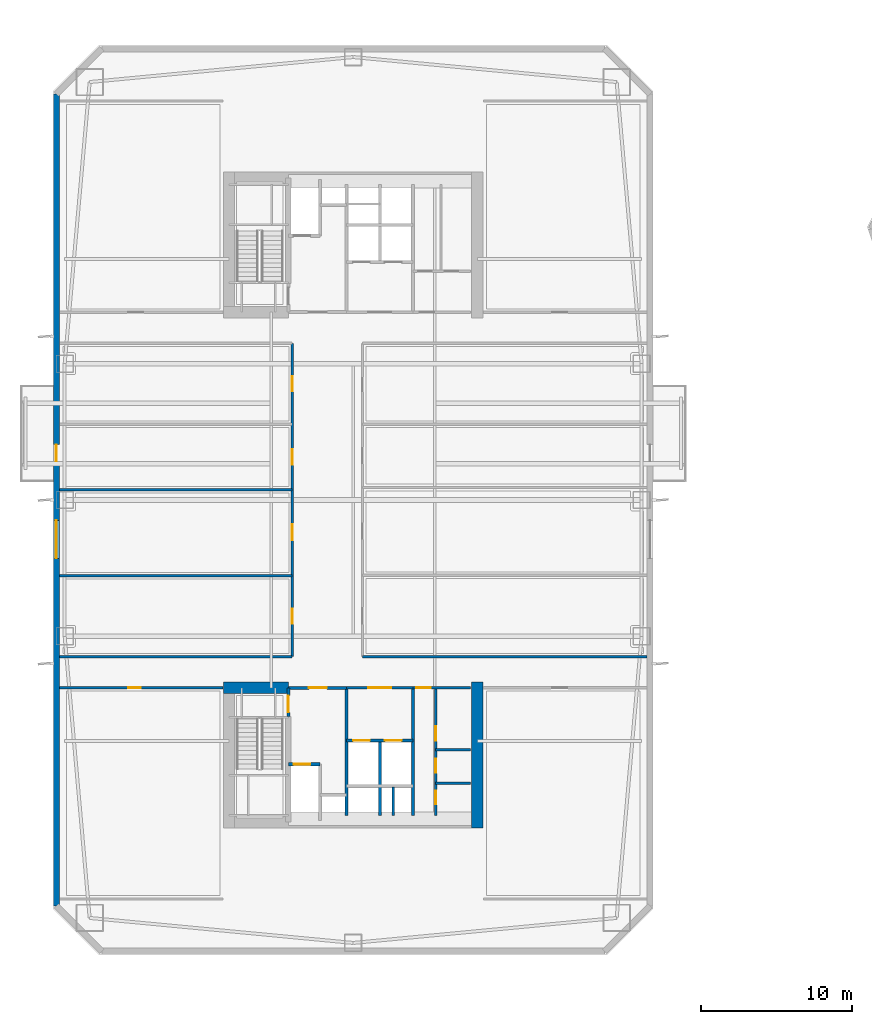
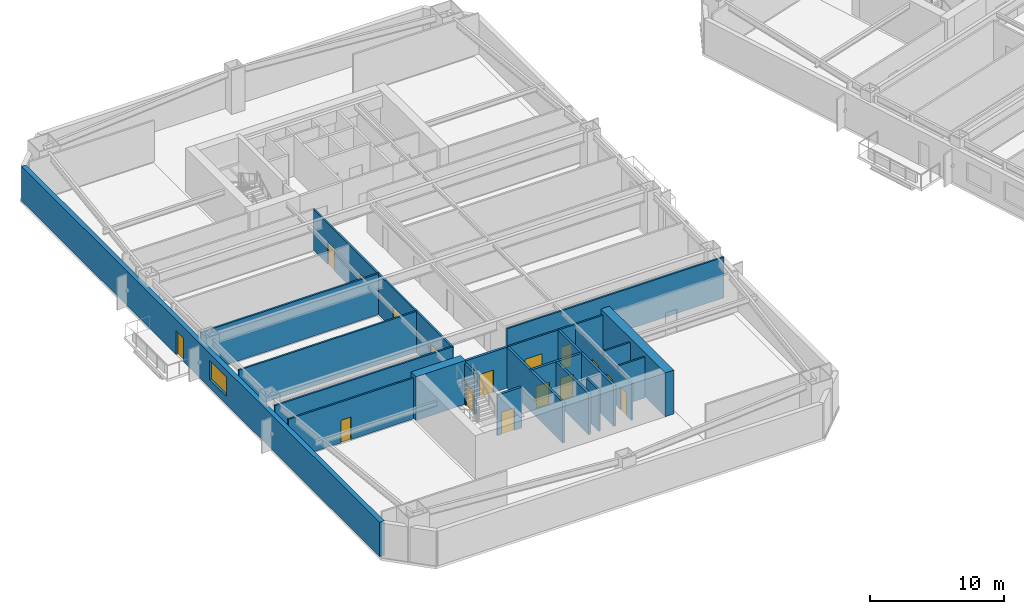
# One storey, part 4 of 21: 22 walls, 16 doors, 1 window, 17 openings.
"""IFC4 building model written with IfcOpenShell, lengths in metres."""

from ifc_helpers import new_model, si_unit, direction, frame, frame_2d, origin, place, context, subcontext, project, spatial, rectangle, extrude, material, layer, layer_set, type_object, element, fill, save


model = new_model("IFC4")

# Units and contexts
model_context = context("Model", 3, precision=1e-05, world=origin(), true_north=direction((0.0, 1.0)))
body_context = subcontext(model_context, "Body", "Model", "MODEL_VIEW")
ifc_project = project(units=[si_unit("LENGTHUNIT", "METRE"), si_unit("AREAUNIT", "SQUARE_METRE"), si_unit("VOLUMEUNIT", "CUBIC_METRE"), si_unit("PLANEANGLEUNIT", "RADIAN"), si_unit("MASSUNIT", "GRAM", prefix="KILO")], contexts=[model_context])

# Site, building, storey
site_placement = place(None, origin())
site = spatial("IfcSite", under=ifc_project, at=site_placement, CompositionType="ELEMENT")
building_placement = place(site_placement, origin())
building = spatial("IfcBuilding", under=site, at=building_placement, Name="Qiaolan Cultural Towers", CompositionType="ELEMENT")
storey_placement = place(building_placement, frame((0.0, 0.0, 34.0)))
storey = spatial("IfcBuildingStorey", under=building, at=storey_placement, Name="L07", CompositionType="ELEMENT", Elevation=34.0)

# Walls
ifc_material_1 = material(Name="Concrete C60", Category="concrete")
ifc_layer_1 = layer(ifc_material_1, 0.75)
ifc_layer_set_1 = layer_set([ifc_layer_1], Name="Concrete C60")
wall_type_1 = type_object("IfcWallType", Name="WL-CORE-750", PredefinedType="SHEAR", material=ifc_layer_set_1)
wall_1_placement = place(storey_placement, frame((38.199951171875, 21.97509765625, 0.0), z_axis=(0.0, 0.0, 1.0), x_axis=(0.0, -1.0, 0.0)))
element("IfcWall", 1, at=wall_1_placement, inside=storey, type_object=wall_type_1, Name="L07 T1-CS East Core Shear Wall", PredefinedType="SHEAR", context=body_context, shape_type="SweptSolid", body=[
    extrude(rectangle(XDim=9.630126953125, YDim=0.75, at=frame_2d((4.81494140625, 0.0))), origin(), (0.0, 0.0, 1.0), 4.0),
])
wall_2_placement = place(storey_placement, frame((21.425048828125, 21.60009765625, 0.0), z_axis=(0.0, 0.0, 1.0), x_axis=(1.0, 0.0, 0.0)))
element("IfcWall", 2, at=wall_2_placement, inside=storey, type_object=wall_type_1, Name="L07 T1-CS Stair Front Shear Wall", PredefinedType="SHEAR", context=body_context, shape_type="SweptSolid", body=[
    extrude(rectangle(XDim=4.294921875, YDim=0.75, at=frame_2d((2.1474609375, 0.0))), origin(), (0.0, 0.0, 1.0), 4.0),
])

# Wall, openings, door, window
ifc_material_2 = material(Name="Precast Concrete C50 Honed Stone Pier", Category="masonry")
ifc_layer_2 = layer(ifc_material_2, 0.39990234375)
ifc_layer_set_2 = layer_set([ifc_layer_2], Name="Precast Concrete C50 Honed Stone Pier")
wall_type_2 = type_object("IfcWallType", Name="WL-EXT-PIER-400", PredefinedType="SOLIDWALL", material=ifc_layer_set_2)
wall_3_placement = place(storey_placement, frame((10.39990234375, 7.199951171875, 0.0), z_axis=(0.0, 0.0, 1.0), x_axis=(0.0, 1.0, 0.0)))
wall_3 = element("IfcWall", 3, at=wall_3_placement, inside=storey, type_object=wall_type_2, Name="L07 West Tower Precast Pier Facade Wall F1", PredefinedType="SOLIDWALL", context=body_context, shape_type="SweptSolid", body=[
    extrude(rectangle(XDim=53.60009765625, YDim=0.39990234375, at=frame_2d((26.800048828125, 0.0))), origin(), (0.0, 0.0, 1.0), 3.159912109375),
])
opening_1_placement = place(wall_3_placement, frame((22.949951171875, 0.0, 0.75)))
opening_1 = element("IfcOpeningElement", 4, at=opening_1_placement, cuts=wall_3, Name="Opening W-01", PredefinedType="OPENING", context=body_context, shape_type="SweptSolid", body=[
    extrude(rectangle(XDim=2.5, YDim=1.75, at=frame_2d((1.25, 0.875))), frame((0.0, 0.2099609375, 0.0), z_axis=(0.0, -1.0, 0.0), x_axis=(1.0, 0.0, 0.0)), (0.0, 0.0, 1.0), 0.419921875),
])
opening_2_placement = place(wall_3_placement, frame((29.35009765625, 0.0, 0.0)))
opening_2 = element("IfcOpeningElement", 5, at=opening_2_placement, cuts=wall_3, Name="Opening BD-01", PredefinedType="OPENING", context=body_context, shape_type="SweptSolid", body=[
    extrude(rectangle(XDim=1.10009765625, YDim=2.14990234375, at=frame_2d((0.550048828125, 1.074951171875))), frame((0.0, 0.2099609375, 0.0), z_axis=(0.0, -1.0, 0.0), x_axis=(1.0, 0.0, 0.0)), (0.0, 0.0, 1.0), 0.419921875),
])
ifc_material_3 = material(Name="Thermally Broken Aluminium Glazed Terrace Door", Category="aluminium")
door_type_1 = type_object("IfcDoorType", Name="DR-BAL-1100", OperationType="NOTDEFINED", PredefinedType="DOOR", material=ifc_material_3)
door_1_placement = place(opening_2_placement, origin())
door_1 = element("IfcDoor", 6, at=door_1_placement, inside=storey, type_object=door_type_1, Name="L07 T1 West Tree Balcony Door", OperationType="SINGLE_SWING_LEFT", OverallHeight=2.14990234375, OverallWidth=1.10009765625, PredefinedType="DOOR", context=body_context, shape_type="SweptSolid", body=[
    extrude(rectangle(XDim=1.10009765625, YDim=2.14990234375, at=frame_2d((0.550048828125, 1.074951171875))), frame((0.0, 0.02490234375, 0.0), z_axis=(0.0, -1.0, 0.0), x_axis=(1.0, 0.0, 0.0)), (0.0, 0.0, 1.0), 0.050048828125),
])
fill(opening_2, door_1)
ifc_material_4 = material(Name="Thermally Broken Aluminium Triple Low-E Glazing", Category="aluminium")
window_type = type_object("IfcWindowType", Name="WN-CHIC-2500", PartitioningType="SINGLE_PANEL", PredefinedType="WINDOW", material=ifc_material_4)
window_placement = place(opening_1_placement, origin())
window = element("IfcWindow", 7, at=window_placement, inside=storey, type_object=window_type, Name="L07 T1 W Chicago Bay Window 1", OverallHeight=1.75, OverallWidth=2.5, PartitioningType="TRIPLE_PANEL_VERTICAL", PredefinedType="WINDOW", context=body_context, shape_type="SweptSolid", body=[
    extrude(rectangle(XDim=2.5, YDim=1.75, at=frame_2d((1.25, 0.875))), frame((0.0, 0.030029296875, 0.0), z_axis=(0.0, -1.0, 0.0), x_axis=(1.0, 0.0, 0.0)), (0.0, 0.0, 1.0), 0.06005859375),
])
fill(opening_1, window)

# Wall, opening, door
ifc_material_5 = material(Name="Concrete C35 Fire Wall", Category="concrete")
ifc_layer_3 = layer(ifc_material_5, 0.199951171875)
ifc_layer_set_3 = layer_set([ifc_layer_3], Name="Concrete C35 Fire Wall")
wall_type_3 = type_object("IfcWallType", Name="WL-FIRE-200", PredefinedType="PARTITIONING", material=ifc_layer_set_3)
wall_4_placement = place(storey_placement, frame((25.719970703125, 21.60009765625, 0.0), z_axis=(0.0, 0.0, 1.0), x_axis=(0.0, -1.0, 0.0)))
wall_4 = element("IfcWall", 8, at=wall_4_placement, inside=storey, type_object=wall_type_3, Name="L07 T1-CS Smokeproof Stair Entry Wall", PredefinedType="PARTITIONING", context=body_context, shape_type="SweptSolid", body=[
    extrude(rectangle(XDim=1.900146484375, YDim=0.199951171875, at=frame_2d((0.9501953125, 0.0))), origin(), (0.0, 0.0, 1.0), 3.72509765625),
])
opening_3_placement = place(wall_4_placement, frame((0.52001953125, 0.0, 0.0)))
opening_3 = element("IfcOpeningElement", 9, at=opening_3_placement, cuts=wall_4, Name="Opening FD-04", PredefinedType="OPENING", context=body_context, shape_type="SweptSolid", body=[
    extrude(rectangle(XDim=1.10009765625, YDim=2.050048828125, at=frame_2d((0.550048828125, 1.02490234375))), frame((0.0, 0.10986328125, 0.0), z_axis=(0.0, -1.0, 0.0), x_axis=(1.0, 0.0, 0.0)), (0.0, 0.0, 1.0), 0.219970703125),
])
ifc_material_6 = material(Name="Galvanized Steel Command Fire Door", Category="steel")
door_type_2 = type_object("IfcDoorType", Name="DR-FD90-1100", OperationType="NOTDEFINED", PredefinedType="DOOR", material=ifc_material_6)
door_2_placement = place(opening_3_placement, origin())
door_2 = element("IfcDoor", 10, at=door_2_placement, inside=storey, type_object=door_type_2, Name="L07 ST-W1 Smokeproof Stair Fire Door", OperationType="SINGLE_SWING_LEFT", OverallHeight=2.050048828125, OverallWidth=1.10009765625, PredefinedType="DOOR", context=body_context, shape_type="SweptSolid", body=[
    extrude(rectangle(XDim=1.10009765625, YDim=2.050048828125, at=frame_2d((0.550048828125, 1.02490234375))), frame((0.0, 0.02490234375, 0.0), z_axis=(0.0, -1.0, 0.0), x_axis=(1.0, 0.0, 0.0)), (0.0, 0.0, 1.0), 0.050048828125),
])
fill(opening_3, door_2)

# Wall
wall_5_placement = place(storey_placement, frame((29.550048828125, 21.60009765625, 0.0), z_axis=(0.0, 0.0, 1.0), x_axis=(0.0, -1.0, 0.0)))
element("IfcWall", 11, at=wall_5_placement, inside=storey, type_object=wall_type_3, Name="L07 T1-CS Firefighting Zone Wall", PredefinedType="PARTITIONING", context=body_context, shape_type="SweptSolid", body=[
    extrude(rectangle(XDim=8.43017578125, YDim=0.199951171875, at=frame_2d((4.215087890625, 0.0))), origin(), (0.0, 0.0, 1.0), 3.72509765625),
])

# Wall, opening, door
wall_6_placement = place(storey_placement, frame((25.719970703125, 21.60009765625, 0.0), z_axis=(0.0, 0.0, 1.0), x_axis=(1.0, 0.0, 0.0)))
wall_6 = element("IfcWall", 12, at=wall_6_placement, inside=storey, type_object=wall_type_3, Name="L07 T1-CS Firefighting Lobby Front Wall", PredefinedType="PARTITIONING", context=body_context, shape_type="SweptSolid", body=[
    extrude(rectangle(XDim=3.830078125, YDim=0.199951171875, at=frame_2d((1.9150390625, 0.0))), origin(), (0.0, 0.0, 1.0), 3.72509765625),
])
opening_4_placement = place(wall_6_placement, frame((1.35009765625, 0.0, 0.0)))
opening_4 = element("IfcOpeningElement", 13, at=opening_4_placement, cuts=wall_6, Name="Opening FD-03", PredefinedType="OPENING", context=body_context, shape_type="SweptSolid", body=[
    extrude(rectangle(XDim=1.199951171875, YDim=2.050048828125, at=frame_2d((0.60009765625, 1.02490234375))), frame((0.0, 0.10986328125, 0.0), z_axis=(0.0, -1.0, 0.0), x_axis=(1.0, 0.0, 0.0)), (0.0, 0.0, 1.0), 0.219970703125),
])
ifc_material_7 = material(Name="Galvanized Steel Smokeproof Lobby Fire Door", Category="steel")
door_type_3 = type_object("IfcDoorType", Name="DR-FD90-1200", OperationType="NOTDEFINED", PredefinedType="DOOR", material=ifc_material_7)
door_3_placement = place(opening_4_placement, origin())
door_3 = element("IfcDoor", 14, at=door_3_placement, inside=storey, type_object=door_type_3, Name="L07 FFL-W1 Firefighting Lobby Fire Door", OperationType="SINGLE_SWING_LEFT", OverallHeight=2.050048828125, OverallWidth=1.199951171875, PredefinedType="DOOR", context=body_context, shape_type="SweptSolid", body=[
    extrude(rectangle(XDim=1.199951171875, YDim=2.050048828125, at=frame_2d((0.60009765625, 1.02490234375))), frame((0.0, 0.02490234375, 0.0), z_axis=(0.0, -1.0, 0.0), x_axis=(1.0, 0.0, 0.0)), (0.0, 0.0, 1.0), 0.050048828125),
])
fill(opening_4, door_3)

wall_7_placement = place(storey_placement, frame((25.719970703125, 16.550048828125, 0.0), z_axis=(0.0, 0.0, 1.0), x_axis=(1.0, 0.0, 0.0)))
wall_7 = element("IfcWall", 15, at=wall_7_placement, inside=storey, type_object=wall_type_3, Name="L07 T1-CS Firefighting Shaft Front Wall", PredefinedType="PARTITIONING", context=body_context, shape_type="SweptSolid", body=[
    extrude(rectangle(XDim=2.10009765625, YDim=0.199951171875, at=frame_2d((1.050048828125, 0.0))), origin(), (0.0, 0.0, 1.0), 3.72509765625),
])
opening_5_placement = place(wall_7_placement, frame((0.35009765625, 0.0, 0.0)))
opening_5 = element("IfcOpeningElement", 16, at=opening_5_placement, cuts=wall_7, Name="Opening LD-01", PredefinedType="OPENING", context=body_context, shape_type="SweptSolid", body=[
    extrude(rectangle(XDim=1.10009765625, YDim=2.050048828125, at=frame_2d((0.550048828125, 1.02490234375))), frame((0.0, 0.10986328125, 0.0), z_axis=(0.0, -1.0, 0.0), x_axis=(1.0, 0.0, 0.0)), (0.0, 0.0, 1.0), 0.219970703125),
])
ifc_material_8 = material(Name="Brushed Stainless Steel S30408 Centre-Parting Lift Landing Door", Category="steel")
door_type_4 = type_object("IfcDoorType", Name="DR-LIFT-1100", OperationType="NOTDEFINED", PredefinedType="DOOR", material=ifc_material_8)
door_4_placement = place(opening_5_placement, origin())
door_4 = element("IfcDoor", 17, at=door_4_placement, inside=storey, type_object=door_type_4, Name="L07 FFL-W1 Firefighting Lift Landing Door", OperationType="DOUBLE_DOOR_SLIDING", OverallHeight=2.050048828125, OverallWidth=1.10009765625, PredefinedType="DOOR", context=body_context, shape_type="SweptSolid", body=[
    extrude(rectangle(XDim=1.10009765625, YDim=2.050048828125, at=frame_2d((0.550048828125, 1.02490234375))), frame((0.0, 0.02490234375, 0.0), z_axis=(0.0, -1.0, 0.0), x_axis=(1.0, 0.0, 0.0)), (0.0, 0.0, 1.0), 0.050048828125),
])
fill(opening_5, door_4)

# Wall
wall_8_placement = place(storey_placement, frame((33.949951171875, 21.60009765625, 0.0), z_axis=(0.0, 0.0, 1.0), x_axis=(0.0, -1.0, 0.0)))
element("IfcWall", 18, at=wall_8_placement, inside=storey, type_object=wall_type_3, Name="L07 T1-CS Lift Core East Wall", PredefinedType="PARTITIONING", context=body_context, shape_type="SweptSolid", body=[
    extrude(rectangle(XDim=8.43017578125, YDim=0.199951171875, at=frame_2d((4.215087890625, 0.0))), origin(), (0.0, 0.0, 1.0), 3.72509765625),
])

# Wall, openings, doors
wall_9_placement = place(storey_placement, frame((29.550048828125, 18.1201171875, 0.0), z_axis=(0.0, 0.0, 1.0), x_axis=(1.0, 0.0, 0.0)))
wall_9 = element("IfcWall", 19, at=wall_9_placement, inside=storey, type_object=wall_type_3, Name="L07 T1-CS Passenger Lift Shaft Front Wall", PredefinedType="PARTITIONING", context=body_context, shape_type="SweptSolid", body=[
    extrude(rectangle(XDim=4.39990234375, YDim=0.199951171875, at=frame_2d((2.199951171875, 0.0))), origin(), (0.0, 0.0, 1.0), 3.72509765625),
])
opening_6_placement = place(wall_9_placement, frame((0.449951171875, 0.0, 0.0)))
opening_6 = element("IfcOpeningElement", 20, at=opening_6_placement, cuts=wall_9, Name="Opening LD-01", PredefinedType="OPENING", context=body_context, shape_type="SweptSolid", body=[
    extrude(rectangle(XDim=1.10009765625, YDim=2.050048828125, at=frame_2d((0.550048828125, 1.02490234375))), frame((0.0, 0.10986328125, 0.0), z_axis=(0.0, -1.0, 0.0), x_axis=(1.0, 0.0, 0.0)), (0.0, 0.0, 1.0), 0.219970703125),
])
opening_7_placement = place(wall_9_placement, frame((2.550048828125, 0.0, 0.0)))
opening_7 = element("IfcOpeningElement", 21, at=opening_7_placement, cuts=wall_9, Name="Opening LD-01", PredefinedType="OPENING", context=body_context, shape_type="SweptSolid", body=[
    extrude(rectangle(XDim=1.10009765625, YDim=2.050048828125, at=frame_2d((0.550048828125, 1.02490234375))), frame((0.0, 0.10986328125, 0.0), z_axis=(0.0, -1.0, 0.0), x_axis=(1.0, 0.0, 0.0)), (0.0, 0.0, 1.0), 0.219970703125),
])
door_5_placement = place(opening_6_placement, origin())
door_5 = element("IfcDoor", 22, at=door_5_placement, inside=storey, type_object=door_type_4, Name="L07 Passenger Lift 1 Landing Door", OperationType="DOUBLE_DOOR_SLIDING", OverallHeight=2.050048828125, OverallWidth=1.10009765625, PredefinedType="DOOR", context=body_context, shape_type="SweptSolid", body=[
    extrude(rectangle(XDim=1.10009765625, YDim=2.050048828125, at=frame_2d((0.550048828125, 1.02490234375))), frame((0.0, 0.02490234375, 0.0), z_axis=(0.0, -1.0, 0.0), x_axis=(1.0, 0.0, 0.0)), (0.0, 0.0, 1.0), 0.050048828125),
])
fill(opening_6, door_5)
door_6_placement = place(opening_7_placement, origin())
door_6 = element("IfcDoor", 23, at=door_6_placement, inside=storey, type_object=door_type_4, Name="L07 Passenger Lift 2 Landing Door", OperationType="DOUBLE_DOOR_SLIDING", OverallHeight=2.050048828125, OverallWidth=1.10009765625, PredefinedType="DOOR", context=body_context, shape_type="SweptSolid", body=[
    extrude(rectangle(XDim=1.10009765625, YDim=2.050048828125, at=frame_2d((0.550048828125, 1.02490234375))), frame((0.0, 0.02490234375, 0.0), z_axis=(0.0, -1.0, 0.0), x_axis=(1.0, 0.0, 0.0)), (0.0, 0.0, 1.0), 0.050048828125),
])
fill(opening_7, door_6)

# Wall
wall_10_placement = place(storey_placement, frame((31.780029296875, 18.1201171875, 0.0), z_axis=(0.0, 0.0, 1.0), x_axis=(0.0, -1.0, 0.0)))
element("IfcWall", 24, at=wall_10_placement, inside=storey, type_object=wall_type_3, Name="L07 T1-CS Lift Shaft Divider Wall", PredefinedType="PARTITIONING", context=body_context, shape_type="SweptSolid", body=[
    extrude(rectangle(XDim=4.9501953125, YDim=0.199951171875, at=frame_2d((2.47509765625, 0.0))), origin(), (0.0, 0.0, 1.0), 3.72509765625),
])

# Wall, opening, door
ifc_material_9 = material(Name="Autoclaved Aerated Concrete Block B06", Category="concrete")
ifc_layer_4 = layer(ifc_material_9, 0.14990234375)
ifc_layer_set_4 = layer_set([ifc_layer_4], Name="Autoclaved Aerated Concrete Block B06")
wall_type_4 = type_object("IfcWallType", Name="WL-PART-150", PredefinedType="PARTITIONING", material=ifc_layer_set_4)
wall_11_placement = place(storey_placement, frame((29.550048828125, 21.60009765625, 0.0), z_axis=(0.0, 0.0, 1.0), x_axis=(1.0, 0.0, 0.0)))
wall_11 = element("IfcWall", 25, at=wall_11_placement, inside=storey, type_object=wall_type_4, Name="L07 T1-CS Passenger Lift Lobby Front Wall", PredefinedType="PARTITIONING", context=body_context, shape_type="SweptSolid", body=[
    extrude(rectangle(XDim=4.39990234375, YDim=0.14990234375, at=frame_2d((2.199951171875, 0.0))), origin(), (0.0, 0.0, 1.0), 3.72509765625),
])
opening_8_placement = place(wall_11_placement, frame((1.449951171875, 0.0, 0.0)))
opening_8 = element("IfcOpeningElement", 26, at=opening_8_placement, cuts=wall_11, Name="Opening FD-05", PredefinedType="OPENING", context=body_context, shape_type="SweptSolid", body=[
    extrude(rectangle(XDim=1.5, YDim=2.050048828125, at=frame_2d((0.75, 1.02490234375))), frame((0.0, 0.0849609375, 0.0), z_axis=(0.0, -1.0, 0.0), x_axis=(1.0, 0.0, 0.0)), (0.0, 0.0, 1.0), 0.169921875),
])
ifc_material_10 = material(Name="Painted Steel Lift Lobby Fire Door", Category="steel")
door_type_5 = type_object("IfcDoorType", Name="DR-FD60-1500", OperationType="NOTDEFINED", PredefinedType="DOOR", material=ifc_material_10)
door_7_placement = place(opening_8_placement, origin())
door_7 = element("IfcDoor", 27, at=door_7_placement, inside=storey, type_object=door_type_5, Name="L07 Passenger Lift Lobby Entrance", OperationType="SINGLE_SWING_LEFT", OverallHeight=2.050048828125, OverallWidth=1.5, PredefinedType="DOOR", context=body_context, shape_type="SweptSolid", body=[
    extrude(rectangle(XDim=1.5, YDim=2.050048828125, at=frame_2d((0.75, 1.02490234375))), frame((0.0, 0.02490234375, 0.0), z_axis=(0.0, -1.0, 0.0), x_axis=(1.0, 0.0, 0.0)), (0.0, 0.0, 1.0), 0.050048828125),
])
fill(opening_8, door_7)

# Wall
wall_12_placement = place(storey_placement, frame((32.64990234375, 15.050048828125, 0.0), z_axis=(0.0, 0.0, 1.0), x_axis=(0.0, -1.0, 0.0)))
element("IfcWall", 28, at=wall_12_placement, inside=storey, type_object=wall_type_4, Name="L07 T1-CS Core Rear Asymmetric Wall", PredefinedType="PARTITIONING", context=body_context, shape_type="SweptSolid", body=[
    extrude(rectangle(XDim=1.880126953125, YDim=0.14990234375, at=frame_2d((0.93994140625, 0.0))), origin(), (0.0, 0.0, 1.0), 3.72509765625),
])

# Wall, opening, door
wall_13_placement = place(storey_placement, frame((33.949951171875, 21.60009765625, 0.0), z_axis=(0.0, 0.0, 1.0), x_axis=(1.0, 0.0, 0.0)))
wall_13 = element("IfcWall", 29, at=wall_13_placement, inside=storey, type_object=wall_type_4, Name="L07 T1-CS Sanitary Core Front Wall", PredefinedType="PARTITIONING", context=body_context, shape_type="SweptSolid", body=[
    extrude(rectangle(XDim=3.800048828125, YDim=0.14990234375, at=frame_2d((1.89990234375, 0.0))), origin(), (0.0, 0.0, 1.0), 3.72509765625),
])
opening_9_placement = place(wall_13_placement, frame((0.219970703125, 0.0, 0.0)))
opening_9 = element("IfcOpeningElement", 30, at=opening_9_placement, cuts=wall_13, Name="Opening ID-05", PredefinedType="OPENING", context=body_context, shape_type="SweptSolid", body=[
    extrude(rectangle(XDim=0.949951171875, YDim=2.050048828125, at=frame_2d((0.47509765625, 1.02490234375))), frame((0.0, 0.0849609375, 0.0), z_axis=(0.0, -1.0, 0.0), x_axis=(1.0, 0.0, 0.0)), (0.0, 0.0, 1.0), 0.169921875),
])
ifc_material_11 = material(Name="Fire-Rated Laminate Accessible Core Door", Category="timber")
door_type_6 = type_object("IfcDoorType", Name="DR-INT-950", OperationType="NOTDEFINED", PredefinedType="DOOR", material=ifc_material_11)
door_8_placement = place(opening_9_placement, origin())
door_8 = element("IfcDoor", 31, at=door_8_placement, inside=storey, type_object=door_type_6, Name="L07 Sanitary Vestibule Door", OperationType="SINGLE_SWING_LEFT", OverallHeight=2.050048828125, OverallWidth=0.949951171875, PredefinedType="DOOR", context=body_context, shape_type="SweptSolid", body=[
    extrude(rectangle(XDim=0.949951171875, YDim=2.050048828125, at=frame_2d((0.47509765625, 1.02490234375))), frame((0.0, 0.02490234375, 0.0), z_axis=(0.0, -1.0, 0.0), x_axis=(1.0, 0.0, 0.0)), (0.0, 0.0, 1.0), 0.050048828125),
])
fill(opening_9, door_8)

# Wall, openings, doors
wall_14_placement = place(storey_placement, frame((35.449951171875, 21.60009765625, 0.0), z_axis=(0.0, 0.0, 1.0), x_axis=(0.0, -1.0, 0.0)))
wall_14 = element("IfcWall", 32, at=wall_14_placement, inside=storey, type_object=wall_type_4, Name="L07 T1-CS Sanitary Vestibule Wall", PredefinedType="PARTITIONING", context=body_context, shape_type="SweptSolid", body=[
    extrude(rectangle(XDim=8.43017578125, YDim=0.14990234375, at=frame_2d((4.215087890625, 0.0))), origin(), (0.0, 0.0, 1.0), 3.364990234375),
])
opening_10_placement = place(wall_14_placement, frame((2.550048828125, 0.0, 0.0)))
opening_10 = element("IfcOpeningElement", 33, at=opening_10_placement, cuts=wall_14, Name="Opening ID-05", PredefinedType="OPENING", context=body_context, shape_type="SweptSolid", body=[
    extrude(rectangle(XDim=0.949951171875, YDim=2.050048828125, at=frame_2d((0.47509765625, 1.02490234375))), frame((0.0, 0.0849609375, 0.0), z_axis=(0.0, -1.0, 0.0), x_axis=(1.0, 0.0, 0.0)), (0.0, 0.0, 1.0), 0.169921875),
])
opening_11_placement = place(wall_14_placement, frame((4.699951171875, 0.0, 0.0)))
opening_11 = element("IfcOpeningElement", 34, at=opening_11_placement, cuts=wall_14, Name="Opening ID-06", PredefinedType="OPENING", context=body_context, shape_type="SweptSolid", body=[
    extrude(rectangle(XDim=0.89990234375, YDim=2.050048828125, at=frame_2d((0.449951171875, 1.02490234375))), frame((0.0, 0.0849609375, 0.0), z_axis=(0.0, -1.0, 0.0), x_axis=(1.0, 0.0, 0.0)), (0.0, 0.0, 1.0), 0.169921875),
])
opening_12_placement = place(wall_14_placement, frame((6.800048828125, 0.0, 0.0)))
opening_12 = element("IfcOpeningElement", 35, at=opening_12_placement, cuts=wall_14, Name="Opening ID-06", PredefinedType="OPENING", context=body_context, shape_type="SweptSolid", body=[
    extrude(rectangle(XDim=0.89990234375, YDim=2.050048828125, at=frame_2d((0.449951171875, 1.02490234375))), frame((0.0, 0.0849609375, 0.0), z_axis=(0.0, -1.0, 0.0), x_axis=(1.0, 0.0, 0.0)), (0.0, 0.0, 1.0), 0.169921875),
])
ifc_material_12 = material(Name="Fire-Rated Laminate Core Service Door", Category="timber")
door_type_7 = type_object("IfcDoorType", Name="DR-INT-900", OperationType="NOTDEFINED", PredefinedType="DOOR", material=ifc_material_12)
door_9_placement = place(opening_11_placement, origin())
door_9 = element("IfcDoor", 36, at=door_9_placement, inside=storey, type_object=door_type_7, Name="L07 Men Washroom Door", OperationType="SINGLE_SWING_LEFT", OverallHeight=2.050048828125, OverallWidth=0.89990234375, PredefinedType="DOOR", context=body_context, shape_type="SweptSolid", body=[
    extrude(rectangle(XDim=0.89990234375, YDim=2.050048828125, at=frame_2d((0.449951171875, 1.02490234375))), frame((0.0, 0.02490234375, 0.0), z_axis=(0.0, -1.0, 0.0), x_axis=(1.0, 0.0, 0.0)), (0.0, 0.0, 1.0), 0.050048828125),
])
fill(opening_11, door_9)
door_10_placement = place(opening_12_placement, origin())
door_10 = element("IfcDoor", 37, at=door_10_placement, inside=storey, type_object=door_type_7, Name="L07 Women Washroom Door", OperationType="SINGLE_SWING_RIGHT", OverallHeight=2.050048828125, OverallWidth=0.89990234375, PredefinedType="DOOR", context=body_context, shape_type="SweptSolid", body=[
    extrude(rectangle(XDim=0.89990234375, YDim=2.050048828125, at=frame_2d((0.449951171875, 1.02490234375))), frame((0.0, 0.02490234375, 0.0), z_axis=(0.0, -1.0, 0.0), x_axis=(1.0, 0.0, 0.0)), (0.0, 0.0, 1.0), 0.050048828125),
])
fill(opening_12, door_10)
door_11_placement = place(opening_10_placement, origin())
door_11 = element("IfcDoor", 38, at=door_11_placement, inside=storey, type_object=door_type_6, Name="L07 Accessible Family Washroom Door", OperationType="SINGLE_SWING_LEFT", OverallHeight=2.050048828125, OverallWidth=0.949951171875, PredefinedType="DOOR", context=body_context, shape_type="SweptSolid", body=[
    extrude(rectangle(XDim=0.949951171875, YDim=2.050048828125, at=frame_2d((0.47509765625, 1.02490234375))), frame((0.0, 0.02490234375, 0.0), z_axis=(0.0, -1.0, 0.0), x_axis=(1.0, 0.0, 0.0)), (0.0, 0.0, 1.0), 0.050048828125),
])
fill(opening_10, door_11)

# Walls
for number, where, z_axis, x_axis, name in (
    (39, (35.449951171875, 17.5, 0.0), (0.0, 0.0, 1.0), (1.0, 0.0, 0.0), "L07 T1-CS Restroom Split Wall 1"),
    (40, (35.449951171875, 15.300048828125, 0.0), (0.0, 0.0, 1.0), (1.0, 0.0, 0.0), "L07 T1-CS Restroom Split Wall 2"),
):
    element("IfcWall", number, at=place(storey_placement, frame(where, z_axis=z_axis, x_axis=x_axis)), inside=storey, type_object=wall_type_4, Name=name, PredefinedType="PARTITIONING", context=body_context, shape_type="SweptSolid", body=[
        extrude(rectangle(XDim=2.300048828125, YDim=0.14990234375, at=frame_2d((1.14990234375, 0.0))), origin(), (0.0, 0.0, 1.0), 3.72509765625),
    ])

# Wall, opening, door
wall_15_placement = place(storey_placement, frame((10.60009765625, 21.60009765625, 0.0), z_axis=(0.0, 0.0, 1.0), x_axis=(1.0, 0.0, 0.0)))
wall_15 = element("IfcWall", 41, at=wall_15_placement, inside=storey, type_object=wall_type_4, Name="L07 T1 Flank Front FLK-SW", PredefinedType="PARTITIONING", context=body_context, shape_type="SweptSolid", body=[
    extrude(rectangle(XDim=10.7998046875, YDim=0.14990234375, at=frame_2d((5.39990234375, 0.0))), origin(), (0.0, 0.0, 1.0), 3.72509765625),
])
opening_13_placement = place(wall_15_placement, frame((4.535888671875, 0.0, 0.0)))
opening_13 = element("IfcOpeningElement", 42, at=opening_13_placement, cuts=wall_15, Name="Opening ID-09", PredefinedType="OPENING", context=body_context, shape_type="SweptSolid", body=[
    extrude(rectangle(XDim=0.85009765625, YDim=2.050048828125, at=frame_2d((0.425048828125, 1.02490234375))), frame((0.0, 0.0849609375, 0.0), z_axis=(0.0, -1.0, 0.0), x_axis=(1.0, 0.0, 0.0)), (0.0, 0.0, 1.0), 0.169921875),
])
ifc_material_13 = material(Name="Moisture-Resistant Laminate Utility Door", Category="timber")
door_type_8 = type_object("IfcDoorType", Name="DR-INT-850", OperationType="NOTDEFINED", PredefinedType="DOOR", material=ifc_material_13)
door_12_placement = place(opening_13_placement, origin())
door_12 = element("IfcDoor", 43, at=door_12_placement, inside=storey, type_object=door_type_8, Name="L07 T1 Corner Studio Door", OperationType="SINGLE_SWING_LEFT", OverallHeight=2.050048828125, OverallWidth=0.85009765625, PredefinedType="DOOR", context=body_context, shape_type="SweptSolid", body=[
    extrude(rectangle(XDim=0.85009765625, YDim=2.050048828125, at=frame_2d((0.425048828125, 1.02490234375))), frame((0.0, 0.02490234375, 0.0), z_axis=(0.0, -1.0, 0.0), x_axis=(1.0, 0.0, 0.0)), (0.0, 0.0, 1.0), 0.050048828125),
])
fill(opening_13, door_12)

# Walls
wall_16_placement = place(storey_placement, frame((10.60009765625, 23.64990234375, 0.0), z_axis=(0.0, 0.0, 1.0), x_axis=(1.0, 0.0, 0.0)))
element("IfcWall", 44, at=wall_16_placement, inside=storey, type_object=wall_type_4, Name="L07 T1 South Corridor Left Wall", PredefinedType="PARTITIONING", context=body_context, shape_type="SweptSolid", body=[
    extrude(rectangle(XDim=15.375, YDim=0.14990234375, at=frame_2d((7.6875, 0.0))), origin(), (0.0, 0.0, 1.0), 3.72509765625),
])
wall_17_placement = place(storey_placement, frame((30.625, 23.64990234375, 0.0), z_axis=(0.0, 0.0, 1.0), x_axis=(1.0, 0.0, 0.0)))
element("IfcWall", 45, at=wall_17_placement, inside=storey, type_object=wall_type_4, Name="L07 T1 South Corridor Right Wall", PredefinedType="PARTITIONING", context=body_context, shape_type="SweptSolid", body=[
    extrude(rectangle(XDim=18.77490234375, YDim=0.14990234375, at=frame_2d((9.387451171875, 0.0))), origin(), (0.0, 0.0, 1.0), 3.72509765625),
])

# Wall, openings, doors
wall_18_placement = place(storey_placement, frame((25.97509765625, 23.64990234375, 0.0), z_axis=(0.0, 0.0, 1.0), x_axis=(0.0, 1.0, 0.0)))
wall_18 = element("IfcWall", 46, at=wall_18_placement, inside=storey, type_object=wall_type_4, Name="L07 T1 West Spine Wall", PredefinedType="PARTITIONING", context=body_context, shape_type="SweptSolid", body=[
    extrude(rectangle(XDim=20.7001953125, YDim=0.14990234375, at=frame_2d((10.35009765625, 0.0))), origin(), (0.0, 0.0, 1.0), 3.72509765625),
])
opening_14_placement = place(wall_18_placement, frame((2.175048828125, 0.0, 0.0)))
opening_14 = element("IfcOpeningElement", 47, at=opening_14_placement, cuts=wall_18, Name="Opening ID-04", PredefinedType="OPENING", context=body_context, shape_type="SweptSolid", body=[
    extrude(rectangle(XDim=1.0, YDim=2.050048828125, at=frame_2d((0.5, 1.02490234375))), frame((0.0, 0.0849609375, 0.0), z_axis=(0.0, -1.0, 0.0), x_axis=(1.0, 0.0, 0.0)), (0.0, 0.0, 1.0), 0.169921875),
])
opening_15_placement = place(wall_18_placement, frame((7.68994140625, 0.0, 0.0)))
opening_15 = element("IfcOpeningElement", 48, at=opening_15_placement, cuts=wall_18, Name="Opening ID-07", PredefinedType="OPENING", context=body_context, shape_type="SweptSolid", body=[
    extrude(rectangle(XDim=1.050048828125, YDim=2.050048828125, at=frame_2d((0.52490234375, 1.02490234375))), frame((0.0, 0.0849609375, 0.0), z_axis=(0.0, -1.0, 0.0), x_axis=(1.0, 0.0, 0.0)), (0.0, 0.0, 1.0), 0.169921875),
])
opening_16_placement = place(wall_18_placement, frame((12.68994140625, 0.0, 0.0)))
opening_16 = element("IfcOpeningElement", 49, at=opening_16_placement, cuts=wall_18, Name="Opening ID-04", PredefinedType="OPENING", context=body_context, shape_type="SweptSolid", body=[
    extrude(rectangle(XDim=1.0, YDim=2.050048828125, at=frame_2d((0.5, 1.02490234375))), frame((0.0, 0.0849609375, 0.0), z_axis=(0.0, -1.0, 0.0), x_axis=(1.0, 0.0, 0.0)), (0.0, 0.0, 1.0), 0.169921875),
])
opening_17_placement = place(wall_18_placement, frame((17.52490234375, 0.0, 0.0)))
opening_17 = element("IfcOpeningElement", 50, at=opening_17_placement, cuts=wall_18, Name="Opening ID-04", PredefinedType="OPENING", context=body_context, shape_type="SweptSolid", body=[
    extrude(rectangle(XDim=1.0, YDim=2.050048828125, at=frame_2d((0.5, 1.02490234375))), frame((0.0, 0.0849609375, 0.0), z_axis=(0.0, -1.0, 0.0), x_axis=(1.0, 0.0, 0.0)), (0.0, 0.0, 1.0), 0.169921875),
])
ifc_material_14 = material(Name="Oak Veneer Acoustic Office Door", Category="timber")
door_type_9 = type_object("IfcDoorType", Name="DR-INT-1000", OperationType="NOTDEFINED", PredefinedType="DOOR", material=ifc_material_14)
door_13_placement = place(opening_14_placement, origin())
door_13 = element("IfcDoor", 51, at=door_13_placement, inside=storey, type_object=door_type_9, Name="L07 T1 Gallery Exhibition Room Door", OperationType="SINGLE_SWING_LEFT", OverallHeight=2.050048828125, OverallWidth=1.0, PredefinedType="DOOR", context=body_context, shape_type="SweptSolid", body=[
    extrude(rectangle(XDim=1.0, YDim=2.050048828125, at=frame_2d((0.5, 1.02490234375))), frame((0.0, 0.02490234375, 0.0), z_axis=(0.0, -1.0, 0.0), x_axis=(1.0, 0.0, 0.0)), (0.0, 0.0, 1.0), 0.050048828125),
])
fill(opening_14, door_13)
door_14_placement = place(opening_16_placement, origin())
door_14 = element("IfcDoor", 52, at=door_14_placement, inside=storey, type_object=door_type_9, Name="L07 T1 Conservation Studio Door", OperationType="SINGLE_SWING_LEFT", OverallHeight=2.050048828125, OverallWidth=1.0, PredefinedType="DOOR", context=body_context, shape_type="SweptSolid", body=[
    extrude(rectangle(XDim=1.0, YDim=2.050048828125, at=frame_2d((0.5, 1.02490234375))), frame((0.0, 0.02490234375, 0.0), z_axis=(0.0, -1.0, 0.0), x_axis=(1.0, 0.0, 0.0)), (0.0, 0.0, 1.0), 0.050048828125),
])
fill(opening_16, door_14)
door_15_placement = place(opening_17_placement, origin())
door_15 = element("IfcDoor", 53, at=door_15_placement, inside=storey, type_object=door_type_9, Name="L07 T1 Gallery Exhibition Room Door", OperationType="SINGLE_SWING_RIGHT", OverallHeight=2.050048828125, OverallWidth=1.0, PredefinedType="DOOR", context=body_context, shape_type="SweptSolid", body=[
    extrude(rectangle(XDim=1.0, YDim=2.050048828125, at=frame_2d((0.5, 1.02490234375))), frame((0.0, 0.02490234375, 0.0), z_axis=(0.0, -1.0, 0.0), x_axis=(1.0, 0.0, 0.0)), (0.0, 0.0, 1.0), 0.050048828125),
])
fill(opening_17, door_15)
ifc_material_15 = material(Name="Oak Veneer Consultation Door", Category="timber")
door_type_10 = type_object("IfcDoorType", Name="DR-INT-1050", OperationType="NOTDEFINED", PredefinedType="DOOR", material=ifc_material_15)
door_16_placement = place(opening_15_placement, origin())
door_16 = element("IfcDoor", 54, at=door_16_placement, inside=storey, type_object=door_type_10, Name="L07 T1 Curatorial Office Door", OperationType="SINGLE_SWING_RIGHT", OverallHeight=2.050048828125, OverallWidth=1.050048828125, PredefinedType="DOOR", context=body_context, shape_type="SweptSolid", body=[
    extrude(rectangle(XDim=1.050048828125, YDim=2.050048828125, at=frame_2d((0.52490234375, 1.02490234375))), frame((0.0, 0.02490234375, 0.0), z_axis=(0.0, -1.0, 0.0), x_axis=(1.0, 0.0, 0.0)), (0.0, 0.0, 1.0), 0.050048828125),
])
fill(opening_15, door_16)

# Walls
for number, where, z_axis, x_axis, name in (
    (55, (10.60009765625, 29.0, 0.0), (0.0, 0.0, 1.0), (1.0, 0.0, 0.0), "L07 T1 West Partition 1"),
    (56, (10.60009765625, 34.679931640625, 0.0), (0.0, 0.0, 1.0), (1.0, 0.0, 0.0), "L07 T1 West Partition 2"),
):
    element("IfcWall", number, at=place(storey_placement, frame(where, z_axis=z_axis, x_axis=x_axis)), inside=storey, type_object=wall_type_4, Name=name, PredefinedType="PARTITIONING", context=body_context, shape_type="SweptSolid", body=[
        extrude(rectangle(XDim=15.375, YDim=0.14990234375, at=frame_2d((7.6875, 0.0))), origin(), (0.0, 0.0, 1.0), 3.72509765625),
    ])

save(model, "model.ifc")
